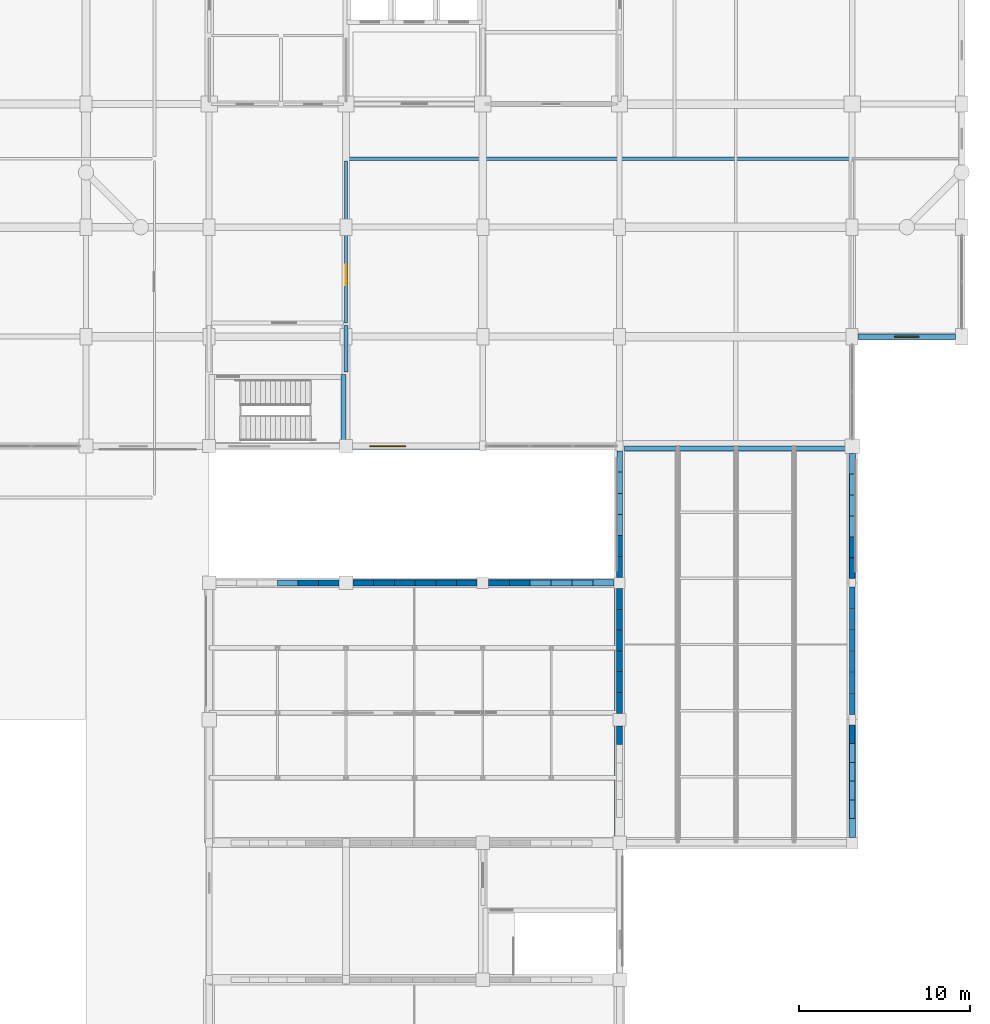
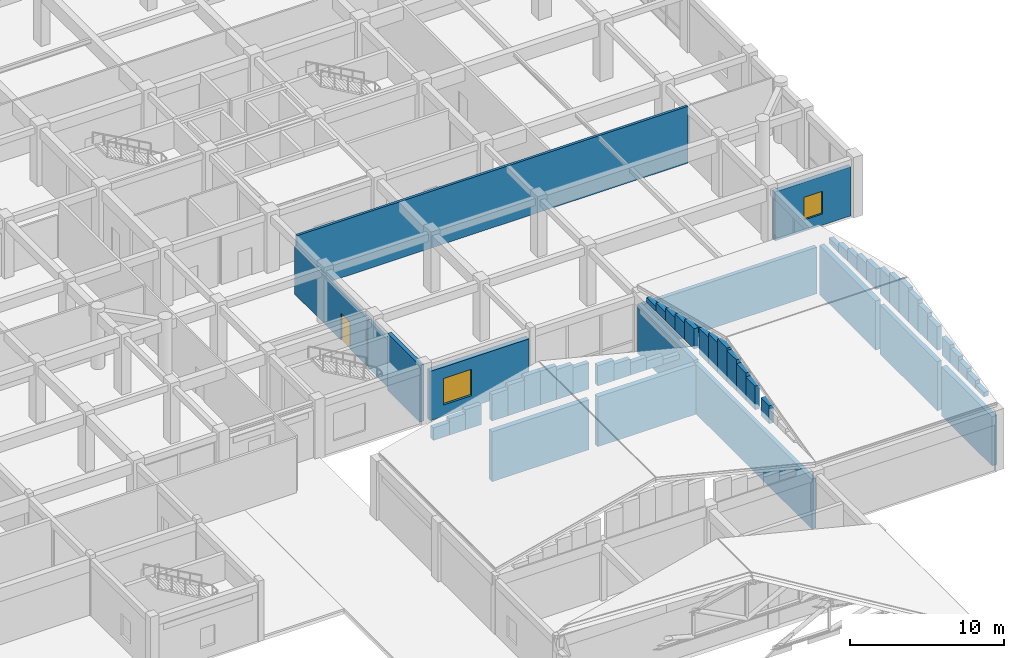
# One storey, part 53 of 61: 56 walls, 2 windows, 1 door, 3 openings.
"""IFC4 building model written with IfcOpenShell, lengths in metres."""

from ifc_helpers import new_model, si_unit, direction, frame, frame_2d, origin, place, context, subcontext, project, spatial, rectangle, extrude, material, layer, layer_set, type_object, element, fill, save


model = new_model("IFC4")

# Units and contexts
model_context = context("Model", 3, precision=1e-05, world=origin(), true_north=direction((0.0, 1.0)))
body_context = subcontext(model_context, "Body", "Model", "MODEL_VIEW")
ifc_project = project(units=[si_unit("LENGTHUNIT", "METRE"), si_unit("AREAUNIT", "SQUARE_METRE"), si_unit("VOLUMEUNIT", "CUBIC_METRE"), si_unit("PLANEANGLEUNIT", "RADIAN"), si_unit("MASSUNIT", "GRAM", prefix="KILO")], contexts=[model_context])

# Site, building, storey
site_placement = place(None, origin())
site = spatial("IfcSite", under=ifc_project, at=site_placement, CompositionType="ELEMENT")
building_placement = place(site_placement, origin())
building = spatial("IfcBuilding", under=site, at=building_placement, Name="Vellmiral Cinema and Media Centre", CompositionType="ELEMENT")
storey_placement = place(building_placement, frame((0.0, 0.0, 10.800048828125)))
storey = spatial("IfcBuildingStorey", under=building, at=storey_placement, Name="L02", CompositionType="ELEMENT", Elevation=10.800048828125)

# Walls
ifc_material_1 = material(Name="Concrete C40/50", Category="concrete")
ifc_layer_1 = layer(ifc_material_1, 0.300048828125, Name="Concrete C40/50")
ifc_layer_set_1 = layer_set([ifc_layer_1], Name="Concrete C40/50")
wall_type_1 = type_object("IfcWallType", Name="WL-CORE-300", PredefinedType="SHEAR", material=ifc_layer_set_1)
wall_1_placement = place(storey_placement, frame((147.85009765625, 36.0, 0.0), z_axis=(0.0, 0.0, 1.0), x_axis=(0.0, 1.0, 0.0)))
element("IfcWall", 1, at=wall_1_placement, inside=storey, type_object=wall_type_1, Name="Cinema Screen 6 Acoustic Enclosure Wall L02-E1", PredefinedType="SHEAR", context=body_context, shape_type="SweptSolid", body=[
    extrude(rectangle(XDim=15.199951171875, YDim=0.300048828125, at=frame_2d((7.60009765625, 0.0))), origin(), (0.0, 0.0, 1.0), 3.949951171875),
])
wall_2_placement = place(storey_placement, frame((148.300048828125, 59.050048828125, 0.0), z_axis=(0.0, 0.0, 1.0), x_axis=(1.0, 0.0, 0.0)))
element("IfcWall", 2, at=wall_2_placement, inside=storey, type_object=wall_type_1, Name="Cinema Screen 7 Acoustic Enclosure Wall L02-N1", PredefinedType="SHEAR", context=body_context, shape_type="SweptSolid", body=[
    extrude(rectangle(XDim=13.0, YDim=0.300048828125, at=frame_2d((6.5, 0.0))), origin(), (0.0, 0.0, 1.0), 3.699951171875),
])
wall_3_placement = place(storey_placement, frame((131.85009765625, 59.199951171875, 0.0), z_axis=(0.0, 0.0, 1.0), x_axis=(0.0, 1.0, 0.0)))
element("IfcWall", 3, at=wall_3_placement, inside=storey, type_object=wall_type_1, Name="Stair Core Wall ST-P6 L02-E", PredefinedType="SHEAR", context=body_context, shape_type="SweptSolid", body=[
    extrude(rectangle(XDim=4.199951171875, YDim=0.300048828125, at=frame_2d((2.10009765625, 0.0))), origin(), (0.0, 0.0, 1.0), 4.5),
])
ifc_material_2 = material(Name="Polychrome Glazed Ceramic Cladding", Category="masonry")
ifc_layer_2 = layer(ifc_material_2, 0.320068359375, Name="Polychrome Glazed Ceramic Cladding")
ifc_layer_set_2 = layer_set([ifc_layer_2], Name="Polychrome Glazed Ceramic Cladding")
wall_type_2 = type_object("IfcWallType", Name="WL-EXT-BRICK-320", PredefinedType="SOLIDWALL", material=ifc_layer_set_2)
wall_4_placement = place(storey_placement, frame((148.0, 58.89990234375, 0.0), z_axis=(0.0, 0.0, 1.0), x_axis=(0.0, -1.0, 0.0)))
element("IfcWall", 4, at=wall_4_placement, inside=storey, type_object=wall_type_2, Name="Exterior Facade Wall L02-024", PredefinedType="SOLIDWALL", context=body_context, shape_type="SweptSolid", body=[
    extrude(rectangle(XDim=7.375, YDim=0.320068359375, at=frame_2d((3.6875, 0.0))), origin(), (0.0, 0.0, 1.0), 3.89990234375),
])
wall_5_placement = place(storey_placement, frame((161.60009765625, 43.5, 0.0), z_axis=(0.0, 0.0, 1.0), x_axis=(0.0, 1.0, 0.0)))
element("IfcWall", 5, at=wall_5_placement, inside=storey, type_object=wall_type_2, Name="Exterior Facade Wall L02-039", PredefinedType="SOLIDWALL", context=body_context, shape_type="SweptSolid", body=[
    extrude(rectangle(XDim=7.449951171875, YDim=0.320068359375, at=frame_2d((3.72509765625, 0.0))), origin(), (0.0, 0.0, 1.0), 3.89990234375),
])

# Wall, opening, window
wall_6_placement = place(storey_placement, frame((161.949951171875, 65.60009765625, 0.0), z_axis=(0.0, 0.0, 1.0), x_axis=(1.0, 0.0, 0.0)))
wall_6 = element("IfcWall", 6, at=wall_6_placement, inside=storey, type_object=wall_type_2, Name="Exterior Facade Wall L02-042", PredefinedType="SOLIDWALL", context=body_context, shape_type="SweptSolid", body=[
    extrude(rectangle(XDim=5.699951171875, YDim=0.320068359375, at=frame_2d((2.85009765625, 0.0))), origin(), (0.0, 0.0, 1.0), 3.885009765625),
])
opening_1_placement = place(wall_6_placement, frame((2.14990234375, 0.0, 0.89990234375)))
opening_1 = element("IfcOpeningElement", 7, at=opening_1_placement, cuts=wall_6, Name="Opening WN-07", PredefinedType="OPENING", context=body_context, shape_type="SweptSolid", body=[
    extrude(rectangle(XDim=1.39990234375, YDim=1.800048828125, at=frame_2d((0.699951171875, 0.89990234375))), frame((0.0, 0.171875, 0.0), z_axis=(0.0, -1.0, 0.0), x_axis=(1.0, 0.0, 0.0)), (0.0, 0.0, 1.0), 0.343994140625),
])
ifc_material_3 = material(Name="Thermally Broken Aluminium Triple Glazing", Category="aluminium")
window_type_1 = type_object("IfcWindowType", Name="WN-1400x1800", PartitioningType="SINGLE_PANEL", PredefinedType="WINDOW", material=ifc_material_3)
window_1_placement = place(opening_1_placement, origin())
window_1 = element("IfcWindow", 8, at=window_1_placement, inside=storey, type_object=window_type_1, Name="Window L02-042", OverallHeight=1.800048828125, OverallWidth=1.39990234375, PartitioningType="SINGLE_PANEL", PredefinedType="WINDOW", context=body_context, shape_type="SweptSolid", body=[
    extrude(rectangle(XDim=1.39990234375, YDim=1.800048828125, at=frame_2d((0.699951171875, 0.89990234375))), frame((0.0, 0.030029296875, 0.0), z_axis=(0.0, -1.0, 0.0), x_axis=(1.0, 0.0, 0.0)), (0.0, 0.0, 1.0), 0.06005859375),
])
fill(opening_1, window_1)

# Walls
ifc_material_4 = material(Name="Vosges Red Sandstone Masonry", Category="masonry")
ifc_layer_3 = layer(ifc_material_4, 0.340087890625, Name="Vosges Red Sandstone Masonry")
ifc_layer_set_3 = layer_set([ifc_layer_3], Name="Vosges Red Sandstone Masonry")
wall_type_3 = type_object("IfcWallType", Name="WL-EXT-SAND-340", PredefinedType="SOLIDWALL", material=ifc_layer_set_3)
wall_7_placement = place(storey_placement, frame((128.0, 51.199951171875, 4.800048828125), z_axis=(0.0, 0.0, 1.0), x_axis=(1.0, 0.0, 0.0)))
element("IfcWall", 9, at=wall_7_placement, inside=storey, type_object=wall_type_3, Name="Cinema Screen 6 Gable End Wall N-3", PredefinedType="SOLIDWALL", context=body_context, shape_type="SweptSolid", body=[
    extrude(rectangle(XDim=1.199951171875, YDim=0.340087890625, at=frame_2d((0.60009765625, 0.0))), origin(), (0.0, 0.0, 1.0), 0.997314453125),
])
wall_8_placement = place(storey_placement, frame((129.199951171875, 51.199951171875, 4.800048828125), z_axis=(0.0, 0.0, 1.0), x_axis=(1.0, 0.0, 0.0)))
element("IfcWall", 10, at=wall_8_placement, inside=storey, type_object=wall_type_3, Name="Cinema Screen 6 Gable End Wall N-4", PredefinedType="SOLIDWALL", context=body_context, shape_type="SweptSolid", body=[
    extrude(rectangle(XDim=1.199951171875, YDim=0.340087890625, at=frame_2d((0.60009765625, 0.0))), origin(), (0.0, 0.0, 1.0), 1.29638671875),
])
wall_9_placement = place(storey_placement, frame((130.39990234375, 51.199951171875, 4.800048828125), z_axis=(0.0, 0.0, 1.0), x_axis=(1.0, 0.0, 0.0)))
element("IfcWall", 11, at=wall_9_placement, inside=storey, type_object=wall_type_3, Name="Cinema Screen 6 Gable End Wall N-5", PredefinedType="SOLIDWALL", context=body_context, shape_type="SweptSolid", body=[
    extrude(rectangle(XDim=1.2001953125, YDim=0.340087890625, at=frame_2d((0.60009765625, 0.0))), origin(), (0.0, 0.0, 1.0), 1.595703125),
])
wall_10_placement = place(storey_placement, frame((132.39990234375, 51.199951171875, 4.800048828125), z_axis=(0.0, 0.0, 1.0), x_axis=(1.0, 0.0, 0.0)))
element("IfcWall", 12, at=wall_10_placement, inside=storey, type_object=wall_type_3, Name="Cinema Screen 6 Gable End Wall N-6", PredefinedType="SOLIDWALL", context=body_context, shape_type="SweptSolid", body=[
    extrude(rectangle(XDim=1.212646484375, YDim=0.340087890625, at=frame_2d((0.6064453125, 0.0))), origin(), (0.0, 0.0, 1.0), 2.09423828125),
])
wall_11_placement = place(storey_placement, frame((133.612548828125, 51.199951171875, 4.800048828125), z_axis=(0.0, 0.0, 1.0), x_axis=(1.0, 0.0, 0.0)))
element("IfcWall", 13, at=wall_11_placement, inside=storey, type_object=wall_type_3, Name="Cinema Screen 6 Gable End Wall N-7", PredefinedType="SOLIDWALL", context=body_context, shape_type="SweptSolid", body=[
    extrude(rectangle(XDim=1.21240234375, YDim=0.340087890625, at=frame_2d((0.606201171875, 0.0))), origin(), (0.0, 0.0, 1.0), 2.396484375),
])
wall_12_placement = place(storey_placement, frame((134.824951171875, 51.199951171875, 4.800048828125), z_axis=(0.0, 0.0, 1.0), x_axis=(1.0, 0.0, 0.0)))
element("IfcWall", 14, at=wall_12_placement, inside=storey, type_object=wall_type_3, Name="Cinema Screen 6 Gable End Wall N-8", PredefinedType="SOLIDWALL", context=body_context, shape_type="SweptSolid", body=[
    extrude(rectangle(XDim=1.212646484375, YDim=0.340087890625, at=frame_2d((0.6064453125, 0.0))), origin(), (0.0, 0.0, 1.0), 2.698974609375),
])
wall_13_placement = place(storey_placement, frame((136.03759765625, 51.199951171875, 4.800048828125), z_axis=(0.0, 0.0, 1.0), x_axis=(1.0, 0.0, 0.0)))
element("IfcWall", 15, at=wall_13_placement, inside=storey, type_object=wall_type_3, Name="Cinema Screen 6 Gable End Wall N-9", PredefinedType="SOLIDWALL", context=body_context, shape_type="SweptSolid", body=[
    extrude(rectangle(XDim=1.21240234375, YDim=0.340087890625, at=frame_2d((0.606201171875, 0.0))), origin(), (0.0, 0.0, 1.0), 2.68017578125),
])
wall_14_placement = place(storey_placement, frame((137.25, 51.199951171875, 4.800048828125), z_axis=(0.0, 0.0, 1.0), x_axis=(1.0, 0.0, 0.0)))
element("IfcWall", 16, at=wall_14_placement, inside=storey, type_object=wall_type_3, Name="Cinema Screen 6 Gable End Wall N-10", PredefinedType="SOLIDWALL", context=body_context, shape_type="SweptSolid", body=[
    extrude(rectangle(XDim=1.21240234375, YDim=0.340087890625, at=frame_2d((0.606201171875, 0.0))), origin(), (0.0, 0.0, 1.0), 2.3779296875),
])
wall_15_placement = place(storey_placement, frame((138.46240234375, 51.199951171875, 4.800048828125), z_axis=(0.0, 0.0, 1.0), x_axis=(1.0, 0.0, 0.0)))
element("IfcWall", 17, at=wall_15_placement, inside=storey, type_object=wall_type_3, Name="Cinema Screen 6 Gable End Wall N-11", PredefinedType="SOLIDWALL", context=body_context, shape_type="SweptSolid", body=[
    extrude(rectangle(XDim=1.212646484375, YDim=0.340087890625, at=frame_2d((0.6064453125, 0.0))), origin(), (0.0, 0.0, 1.0), 2.07568359375),
])
wall_16_placement = place(storey_placement, frame((140.324951171875, 51.199951171875, 4.800048828125), z_axis=(0.0, 0.0, 1.0), x_axis=(1.0, 0.0, 0.0)))
element("IfcWall", 18, at=wall_16_placement, inside=storey, type_object=wall_type_3, Name="Cinema Screen 6 Gable End Wall N-12", PredefinedType="SOLIDWALL", context=body_context, shape_type="SweptSolid", body=[
    extrude(rectangle(XDim=1.22509765625, YDim=0.340087890625, at=frame_2d((0.612548828125, 0.0))), origin(), (0.0, 0.0, 1.0), 1.608154296875),
])
wall_17_placement = place(storey_placement, frame((141.550048828125, 51.199951171875, 4.800048828125), z_axis=(0.0, 0.0, 1.0), x_axis=(1.0, 0.0, 0.0)))
element("IfcWall", 19, at=wall_17_placement, inside=storey, type_object=wall_type_3, Name="Cinema Screen 6 Gable End Wall N-13", PredefinedType="SOLIDWALL", context=body_context, shape_type="SweptSolid", body=[
    extrude(rectangle(XDim=1.224853515625, YDim=0.340087890625, at=frame_2d((0.6123046875, 0.0))), origin(), (0.0, 0.0, 1.0), 1.302490234375),
])
wall_18_placement = place(storey_placement, frame((142.77490234375, 51.199951171875, 4.800048828125), z_axis=(0.0, 0.0, 1.0), x_axis=(1.0, 0.0, 0.0)))
element("IfcWall", 20, at=wall_18_placement, inside=storey, type_object=wall_type_3, Name="Cinema Screen 6 Gable End Wall N-14", PredefinedType="SOLIDWALL", context=body_context, shape_type="SweptSolid", body=[
    extrude(rectangle(XDim=1.22509765625, YDim=0.340087890625, at=frame_2d((0.612548828125, 0.0))), origin(), (0.0, 0.0, 1.0), 0.997314453125),
])
wall_19_placement = place(storey_placement, frame((144.0, 51.199951171875, 4.800048828125), z_axis=(0.0, 0.0, 1.0), x_axis=(1.0, 0.0, 0.0)))
element("IfcWall", 21, at=wall_19_placement, inside=storey, type_object=wall_type_3, Name="Cinema Screen 6 Gable End Wall N-15", PredefinedType="SOLIDWALL", context=body_context, shape_type="SweptSolid", body=[
    extrude(rectangle(XDim=1.22509765625, YDim=0.340087890625, at=frame_2d((0.612548828125, 0.0))), origin(), (0.0, 0.0, 1.0), 0.69189453125),
])
wall_20_placement = place(storey_placement, frame((145.22509765625, 51.199951171875, 4.800048828125), z_axis=(0.0, 0.0, 1.0), x_axis=(1.0, 0.0, 0.0)))
element("IfcWall", 22, at=wall_20_placement, inside=storey, type_object=wall_type_3, Name="Cinema Screen 6 Gable End Wall N-16", PredefinedType="SOLIDWALL", context=body_context, shape_type="SweptSolid", body=[
    extrude(rectangle(XDim=1.224853515625, YDim=0.340087890625, at=frame_2d((0.6123046875, 0.0))), origin(), (0.0, 0.0, 1.0), 0.386474609375),
])
wall_21_placement = place(storey_placement, frame((148.0, 41.754150390625, 4.800048828125), z_axis=(0.0, 0.0, 1.0), x_axis=(0.0, 1.0, 0.0)))
element("IfcWall", 23, at=wall_21_placement, inside=storey, type_object=wall_type_3, Name="Cinema Screen 7 Gable End Wall W-5", PredefinedType="SOLIDWALL", context=body_context, shape_type="SweptSolid", body=[
    extrude(rectangle(XDim=1.07080078125, YDim=0.340087890625, at=frame_2d((0.535400390625, 0.0))), origin(), (0.0, 0.0, 1.0), 1.4345703125),
])
wall_22_placement = place(storey_placement, frame((148.0, 43.574951171875, 4.800048828125), z_axis=(0.0, 0.0, 1.0), x_axis=(0.0, 1.0, 0.0)))
element("IfcWall", 24, at=wall_22_placement, inside=storey, type_object=wall_type_3, Name="Cinema Screen 7 Gable End Wall W-6", PredefinedType="SOLIDWALL", context=body_context, shape_type="SweptSolid", body=[
    extrude(rectangle(XDim=1.216796875, YDim=0.340087890625, at=frame_2d((0.6083984375, 0.0))), origin(), (0.0, 0.0, 1.0), 1.888671875),
])
wall_23_placement = place(storey_placement, frame((148.0, 44.791748046875, 4.800048828125), z_axis=(0.0, 0.0, 1.0), x_axis=(0.0, 1.0, 0.0)))
element("IfcWall", 25, at=wall_23_placement, inside=storey, type_object=wall_type_3, Name="Cinema Screen 7 Gable End Wall W-7", PredefinedType="SOLIDWALL", context=body_context, shape_type="SweptSolid", body=[
    extrude(rectangle(XDim=1.216552734375, YDim=0.340087890625, at=frame_2d((0.6083984375, 0.0))), origin(), (0.0, 0.0, 1.0), 2.19189453125),
])
wall_24_placement = place(storey_placement, frame((148.0, 46.00830078125, 4.800048828125), z_axis=(0.0, 0.0, 1.0), x_axis=(0.0, 1.0, 0.0)))
element("IfcWall", 26, at=wall_24_placement, inside=storey, type_object=wall_type_3, Name="Cinema Screen 7 Gable End Wall W-8", PredefinedType="SOLIDWALL", context=body_context, shape_type="SweptSolid", body=[
    extrude(rectangle(XDim=1.216796875, YDim=0.340087890625, at=frame_2d((0.6083984375, 0.0))), origin(), (0.0, 0.0, 1.0), 2.495361328125),
])
wall_25_placement = place(storey_placement, frame((148.0, 47.22509765625, 4.800048828125), z_axis=(0.0, 0.0, 1.0), x_axis=(0.0, 1.0, 0.0)))
element("IfcWall", 27, at=wall_25_placement, inside=storey, type_object=wall_type_3, Name="Cinema Screen 7 Gable End Wall W-9", PredefinedType="SOLIDWALL", context=body_context, shape_type="SweptSolid", body=[
    extrude(rectangle(XDim=1.216552734375, YDim=0.340087890625, at=frame_2d((0.6083984375, 0.0))), origin(), (0.0, 0.0, 1.0), 2.682373046875),
])
wall_26_placement = place(storey_placement, frame((148.0, 48.441650390625, 4.800048828125), z_axis=(0.0, 0.0, 1.0), x_axis=(0.0, 1.0, 0.0)))
element("IfcWall", 28, at=wall_26_placement, inside=storey, type_object=wall_type_3, Name="Cinema Screen 7 Gable End Wall W-10", PredefinedType="SOLIDWALL", context=body_context, shape_type="SweptSolid", body=[
    extrude(rectangle(XDim=1.216552734375, YDim=0.340087890625, at=frame_2d((0.6083984375, 0.0))), origin(), (0.0, 0.0, 1.0), 2.37890625),
])
wall_27_placement = place(storey_placement, frame((148.0, 49.658203125, 4.800048828125), z_axis=(0.0, 0.0, 1.0), x_axis=(0.0, 1.0, 0.0)))
element("IfcWall", 29, at=wall_27_placement, inside=storey, type_object=wall_type_3, Name="Cinema Screen 7 Gable End Wall W-11", PredefinedType="SOLIDWALL", context=body_context, shape_type="SweptSolid", body=[
    extrude(rectangle(XDim=1.216796875, YDim=0.340087890625, at=frame_2d((0.6083984375, 0.0))), origin(), (0.0, 0.0, 1.0), 2.07568359375),
])
wall_28_placement = place(storey_placement, frame((148.0, 51.52490234375, 4.800048828125), z_axis=(0.0, 0.0, 1.0), x_axis=(0.0, 1.0, 0.0)))
element("IfcWall", 30, at=wall_28_placement, inside=storey, type_object=wall_type_3, Name="Cinema Screen 7 Gable End Wall W-12", PredefinedType="SOLIDWALL", context=body_context, shape_type="SweptSolid", body=[
    extrude(rectangle(XDim=1.229248046875, YDim=0.340087890625, at=frame_2d((0.61474609375, 0.0))), origin(), (0.0, 0.0, 1.0), 1.60693359375),
])
wall_29_placement = place(storey_placement, frame((148.0, 52.754150390625, 4.800048828125), z_axis=(0.0, 0.0, 1.0), x_axis=(0.0, 1.0, 0.0)))
element("IfcWall", 31, at=wall_29_placement, inside=storey, type_object=wall_type_3, Name="Cinema Screen 7 Gable End Wall W-13", PredefinedType="SOLIDWALL", context=body_context, shape_type="SweptSolid", body=[
    extrude(rectangle(XDim=1.229248046875, YDim=0.340087890625, at=frame_2d((0.61474609375, 0.0))), origin(), (0.0, 0.0, 1.0), 1.300537109375),
])
wall_30_placement = place(storey_placement, frame((148.0, 53.9833984375, 4.800048828125), z_axis=(0.0, 0.0, 1.0), x_axis=(0.0, 1.0, 0.0)))
element("IfcWall", 32, at=wall_30_placement, inside=storey, type_object=wall_type_3, Name="Cinema Screen 7 Gable End Wall W-14", PredefinedType="SOLIDWALL", context=body_context, shape_type="SweptSolid", body=[
    extrude(rectangle(XDim=1.22900390625, YDim=0.340087890625, at=frame_2d((0.614501953125, 0.0))), origin(), (0.0, 0.0, 1.0), 0.994140625),
])
wall_31_placement = place(storey_placement, frame((148.0, 55.21240234375, 4.800048828125), z_axis=(0.0, 0.0, 1.0), x_axis=(0.0, 1.0, 0.0)))
element("IfcWall", 33, at=wall_31_placement, inside=storey, type_object=wall_type_3, Name="Cinema Screen 7 Gable End Wall W-15", PredefinedType="SOLIDWALL", context=body_context, shape_type="SweptSolid", body=[
    extrude(rectangle(XDim=1.229248046875, YDim=0.340087890625, at=frame_2d((0.61474609375, 0.0))), origin(), (0.0, 0.0, 1.0), 0.6875),
])
wall_32_placement = place(storey_placement, frame((148.0, 56.441650390625, 4.800048828125), z_axis=(0.0, 0.0, 1.0), x_axis=(0.0, 1.0, 0.0)))
element("IfcWall", 34, at=wall_32_placement, inside=storey, type_object=wall_type_3, Name="Cinema Screen 7 Gable End Wall W-16", PredefinedType="SOLIDWALL", context=body_context, shape_type="SweptSolid", body=[
    extrude(rectangle(XDim=1.229248046875, YDim=0.340087890625, at=frame_2d((0.61474609375, 0.0))), origin(), (0.0, 0.0, 1.0), 0.381103515625),
])
wall_33_placement = place(storey_placement, frame((161.60009765625, 37.4208984375, 4.800048828125), z_axis=(0.0, 0.0, 1.0), x_axis=(0.0, 1.0, 0.0)))
element("IfcWall", 35, at=wall_33_placement, inside=storey, type_object=wall_type_3, Name="Cinema Screen 7 Gable End Wall E-1", PredefinedType="SOLIDWALL", context=body_context, shape_type="SweptSolid", body=[
    extrude(rectangle(XDim=1.095703125, YDim=0.340087890625, at=frame_2d((0.5478515625, 0.0))), origin(), (0.0, 0.0, 1.0), 0.354248046875),
])
wall_34_placement = place(storey_placement, frame((161.60009765625, 38.5166015625, 4.800048828125), z_axis=(0.0, 0.0, 1.0), x_axis=(0.0, 1.0, 0.0)))
element("IfcWall", 36, at=wall_34_placement, inside=storey, type_object=wall_type_3, Name="Cinema Screen 7 Gable End Wall E-2", PredefinedType="SOLIDWALL", context=body_context, shape_type="SweptSolid", body=[
    extrude(rectangle(XDim=1.095947265625, YDim=0.340087890625, at=frame_2d((0.5478515625, 0.0))), origin(), (0.0, 0.0, 1.0), 0.62744140625),
])
wall_35_placement = place(storey_placement, frame((161.60009765625, 39.612548828125, 4.800048828125), z_axis=(0.0, 0.0, 1.0), x_axis=(0.0, 1.0, 0.0)))
element("IfcWall", 37, at=wall_35_placement, inside=storey, type_object=wall_type_3, Name="Cinema Screen 7 Gable End Wall E-3", PredefinedType="SOLIDWALL", context=body_context, shape_type="SweptSolid", body=[
    extrude(rectangle(XDim=1.095703125, YDim=0.340087890625, at=frame_2d((0.5478515625, 0.0))), origin(), (0.0, 0.0, 1.0), 0.900634765625),
])
wall_36_placement = place(storey_placement, frame((161.60009765625, 40.708251953125, 4.800048828125), z_axis=(0.0, 0.0, 1.0), x_axis=(0.0, 1.0, 0.0)))
element("IfcWall", 38, at=wall_36_placement, inside=storey, type_object=wall_type_3, Name="Cinema Screen 7 Gable End Wall E-4", PredefinedType="SOLIDWALL", context=body_context, shape_type="SweptSolid", body=[
    extrude(rectangle(XDim=1.095947265625, YDim=0.340087890625, at=frame_2d((0.5478515625, 0.0))), origin(), (0.0, 0.0, 1.0), 1.173828125),
])
wall_37_placement = place(storey_placement, frame((161.60009765625, 41.80419921875, 4.800048828125), z_axis=(0.0, 0.0, 1.0), x_axis=(0.0, 1.0, 0.0)))
element("IfcWall", 39, at=wall_37_placement, inside=storey, type_object=wall_type_3, Name="Cinema Screen 7 Gable End Wall E-5", PredefinedType="SOLIDWALL", context=body_context, shape_type="SweptSolid", body=[
    extrude(rectangle(XDim=1.095703125, YDim=0.340087890625, at=frame_2d((0.5478515625, 0.0))), origin(), (0.0, 0.0, 1.0), 1.447021484375),
])
wall_38_placement = place(storey_placement, frame((161.60009765625, 43.5, 4.800048828125), z_axis=(0.0, 0.0, 1.0), x_axis=(0.0, 1.0, 0.0)))
element("IfcWall", 40, at=wall_38_placement, inside=storey, type_object=wall_type_3, Name="Cinema Screen 7 Gable End Wall E-6", PredefinedType="SOLIDWALL", context=body_context, shape_type="SweptSolid", body=[
    extrude(rectangle(XDim=1.24169921875, YDim=0.340087890625, at=frame_2d((0.620849609375, 0.0))), origin(), (0.0, 0.0, 1.0), 1.869873046875),
])
wall_39_placement = place(storey_placement, frame((161.60009765625, 44.74169921875, 4.800048828125), z_axis=(0.0, 0.0, 1.0), x_axis=(0.0, 1.0, 0.0)))
element("IfcWall", 41, at=wall_39_placement, inside=storey, type_object=wall_type_3, Name="Cinema Screen 7 Gable End Wall E-7", PredefinedType="SOLIDWALL", context=body_context, shape_type="SweptSolid", body=[
    extrude(rectangle(XDim=1.24169921875, YDim=0.340087890625, at=frame_2d((0.620849609375, 0.0))), origin(), (0.0, 0.0, 1.0), 2.179443359375),
])
wall_40_placement = place(storey_placement, frame((161.60009765625, 45.9833984375, 4.800048828125), z_axis=(0.0, 0.0, 1.0), x_axis=(0.0, 1.0, 0.0)))
element("IfcWall", 42, at=wall_40_placement, inside=storey, type_object=wall_type_3, Name="Cinema Screen 7 Gable End Wall E-8", PredefinedType="SOLIDWALL", context=body_context, shape_type="SweptSolid", body=[
    extrude(rectangle(XDim=1.24169921875, YDim=0.340087890625, at=frame_2d((0.620849609375, 0.0))), origin(), (0.0, 0.0, 1.0), 2.489013671875),
])
wall_41_placement = place(storey_placement, frame((161.60009765625, 47.22509765625, 4.800048828125), z_axis=(0.0, 0.0, 1.0), x_axis=(0.0, 1.0, 0.0)))
element("IfcWall", 43, at=wall_41_placement, inside=storey, type_object=wall_type_3, Name="Cinema Screen 7 Gable End Wall E-9", PredefinedType="SOLIDWALL", context=body_context, shape_type="SweptSolid", body=[
    extrude(rectangle(XDim=1.24169921875, YDim=0.340087890625, at=frame_2d((0.620849609375, 0.0))), origin(), (0.0, 0.0, 1.0), 2.676025390625),
])
wall_42_placement = place(storey_placement, frame((161.60009765625, 48.466796875, 4.800048828125), z_axis=(0.0, 0.0, 1.0), x_axis=(0.0, 1.0, 0.0)))
element("IfcWall", 44, at=wall_42_placement, inside=storey, type_object=wall_type_3, Name="Cinema Screen 7 Gable End Wall E-10", PredefinedType="SOLIDWALL", context=body_context, shape_type="SweptSolid", body=[
    extrude(rectangle(XDim=1.241455078125, YDim=0.340087890625, at=frame_2d((0.62060546875, 0.0))), origin(), (0.0, 0.0, 1.0), 2.366455078125),
])
wall_43_placement = place(storey_placement, frame((161.60009765625, 49.708251953125, 4.800048828125), z_axis=(0.0, 0.0, 1.0), x_axis=(0.0, 1.0, 0.0)))
element("IfcWall", 45, at=wall_43_placement, inside=storey, type_object=wall_type_3, Name="Cinema Screen 7 Gable End Wall E-11", PredefinedType="SOLIDWALL", context=body_context, shape_type="SweptSolid", body=[
    extrude(rectangle(XDim=1.24169921875, YDim=0.340087890625, at=frame_2d((0.620849609375, 0.0))), origin(), (0.0, 0.0, 1.0), 2.056884765625),
])
wall_44_placement = place(storey_placement, frame((161.60009765625, 51.449951171875, 4.800048828125), z_axis=(0.0, 0.0, 1.0), x_axis=(0.0, 1.0, 0.0)))
element("IfcWall", 46, at=wall_44_placement, inside=storey, type_object=wall_type_3, Name="Cinema Screen 7 Gable End Wall E-12", PredefinedType="SOLIDWALL", context=body_context, shape_type="SweptSolid", body=[
    extrude(rectangle(XDim=1.220947265625, YDim=0.340087890625, at=frame_2d((0.6103515625, 0.0))), origin(), (0.0, 0.0, 1.0), 1.627685546875),
])
wall_45_placement = place(storey_placement, frame((161.60009765625, 52.6708984375, 4.800048828125), z_axis=(0.0, 0.0, 1.0), x_axis=(0.0, 1.0, 0.0)))
element("IfcWall", 47, at=wall_45_placement, inside=storey, type_object=wall_type_3, Name="Cinema Screen 7 Gable End Wall E-13", PredefinedType="SOLIDWALL", context=body_context, shape_type="SweptSolid", body=[
    extrude(rectangle(XDim=1.220703125, YDim=0.340087890625, at=frame_2d((0.6103515625, 0.0))), origin(), (0.0, 0.0, 1.0), 1.323486328125),
])
wall_46_placement = place(storey_placement, frame((161.60009765625, 53.8916015625, 4.800048828125), z_axis=(0.0, 0.0, 1.0), x_axis=(0.0, 1.0, 0.0)))
element("IfcWall", 48, at=wall_46_placement, inside=storey, type_object=wall_type_3, Name="Cinema Screen 7 Gable End Wall E-14", PredefinedType="SOLIDWALL", context=body_context, shape_type="SweptSolid", body=[
    extrude(rectangle(XDim=1.220947265625, YDim=0.340087890625, at=frame_2d((0.6103515625, 0.0))), origin(), (0.0, 0.0, 1.0), 1.01904296875),
])
wall_47_placement = place(storey_placement, frame((161.60009765625, 55.112548828125, 4.800048828125), z_axis=(0.0, 0.0, 1.0), x_axis=(0.0, 1.0, 0.0)))
element("IfcWall", 49, at=wall_47_placement, inside=storey, type_object=wall_type_3, Name="Cinema Screen 7 Gable End Wall E-15", PredefinedType="SOLIDWALL", context=body_context, shape_type="SweptSolid", body=[
    extrude(rectangle(XDim=1.220703125, YDim=0.340087890625, at=frame_2d((0.6103515625, 0.0))), origin(), (0.0, 0.0, 1.0), 0.714599609375),
])
wall_48_placement = place(storey_placement, frame((161.60009765625, 56.333251953125, 4.800048828125), z_axis=(0.0, 0.0, 1.0), x_axis=(0.0, 1.0, 0.0)))
element("IfcWall", 50, at=wall_48_placement, inside=storey, type_object=wall_type_3, Name="Cinema Screen 7 Gable End Wall E-16", PredefinedType="SOLIDWALL", context=body_context, shape_type="SweptSolid", body=[
    extrude(rectangle(XDim=1.220947265625, YDim=0.340087890625, at=frame_2d((0.6103515625, 0.0))), origin(), (0.0, 0.0, 1.0), 0.410400390625),
])

# Wall, opening, window
ifc_material_5 = material(Name="Vosges Red Sandstone Masonry", Category="masonry")
ifc_layer_4 = layer(ifc_material_5, 0.3798828125, Name="Vosges Red Sandstone Masonry")
ifc_layer_set_4 = layer_set([ifc_layer_4], Name="Vosges Red Sandstone Masonry")
wall_type_4 = type_object("IfcWallType", Name="WL-EXT-SAND-380", PredefinedType="SOLIDWALL", material=ifc_layer_set_4)
wall_49_placement = place(storey_placement, frame((132.375, 59.199951171875, 0.0), z_axis=(0.0, 0.0, 1.0), x_axis=(1.0, 0.0, 0.0)))
wall_49 = element("IfcWall", 51, at=wall_49_placement, inside=storey, type_object=wall_type_4, Name="Exterior Facade Wall L02-022", PredefinedType="SOLIDWALL", context=body_context, shape_type="SweptSolid", body=[
    extrude(rectangle(XDim=7.425048828125, YDim=0.3798828125, at=frame_2d((3.71240234375, 0.0))), origin(), (0.0, 0.0, 1.0), 3.89990234375),
])
opening_2_placement = place(wall_49_placement, frame((1.012451171875, 0.0, 0.89990234375)))
opening_2 = element("IfcOpeningElement", 52, at=opening_2_placement, cuts=wall_49, Name="Opening WN-02", PredefinedType="OPENING", context=body_context, shape_type="SweptSolid", body=[
    extrude(rectangle(XDim=2.10009765625, YDim=2.10009765625, at=frame_2d((1.050048828125, 1.050048828125))), frame((0.0, 0.201904296875, 0.0), z_axis=(0.0, -1.0, 0.0), x_axis=(1.0, 0.0, 0.0)), (0.0, 0.0, 1.0), 0.40380859375),
])
ifc_material_6 = material(Name="Thermally Broken Aluminium Triple Glazing", Category="aluminium")
window_type_2 = type_object("IfcWindowType", Name="WN-2100x2100", PartitioningType="DOUBLE_PANEL_VERTICAL", PredefinedType="WINDOW", material=ifc_material_6)
window_2_placement = place(opening_2_placement, origin())
window_2 = element("IfcWindow", 53, at=window_2_placement, inside=storey, type_object=window_type_2, Name="Window L02-022", OverallHeight=2.10009765625, OverallWidth=2.10009765625, PartitioningType="DOUBLE_PANEL_VERTICAL", PredefinedType="WINDOW", context=body_context, shape_type="SweptSolid", body=[
    extrude(rectangle(XDim=2.10009765625, YDim=2.10009765625, at=frame_2d((1.050048828125, 1.050048828125))), frame((0.0, 0.030029296875, 0.0), z_axis=(0.0, -1.0, 0.0), x_axis=(1.0, 0.0, 0.0)), (0.0, 0.0, 1.0), 0.06005859375),
])
fill(opening_2, window_2)

# Walls
wall_50_placement = place(storey_placement, frame((147.675048828125, 51.199951171875, 0.0), z_axis=(0.0, 0.0, 1.0), x_axis=(-1.0, 0.0, 0.0)))
element("IfcWall", 54, at=wall_50_placement, inside=storey, type_object=wall_type_4, Name="Exterior Facade Wall L02-025", PredefinedType="SOLIDWALL", context=body_context, shape_type="SweptSolid", body=[
    extrude(rectangle(XDim=7.35009765625, YDim=0.3798828125, at=frame_2d((3.675048828125, 0.0))), origin(), (0.0, 0.0, 1.0), 3.949951171875),
])
wall_51_placement = place(storey_placement, frame((139.675048828125, 51.199951171875, 0.0), z_axis=(0.0, 0.0, 1.0), x_axis=(-1.0, 0.0, 0.0)))
element("IfcWall", 55, at=wall_51_placement, inside=storey, type_object=wall_type_4, Name="Exterior Facade Wall L02-026", PredefinedType="SOLIDWALL", context=body_context, shape_type="SweptSolid", body=[
    extrude(rectangle(XDim=7.275146484375, YDim=0.3798828125, at=frame_2d((3.6376953125, 0.0))), origin(), (0.0, 0.0, 1.0), 3.949951171875),
])
wall_52_placement = place(storey_placement, frame((161.60009765625, 36.324951171875, 0.0), z_axis=(0.0, 0.0, 1.0), x_axis=(0.0, 1.0, 0.0)))
element("IfcWall", 56, at=wall_52_placement, inside=storey, type_object=wall_type_4, Name="Exterior Facade Wall L02-038", PredefinedType="SOLIDWALL", context=body_context, shape_type="SweptSolid", body=[
    extrude(rectangle(XDim=6.574951171875, YDim=0.3798828125, at=frame_2d((3.28759765625, 0.0))), origin(), (0.0, 0.0, 1.0), 3.89990234375),
])
wall_53_placement = place(storey_placement, frame((161.60009765625, 51.449951171875, 0.0), z_axis=(0.0, 0.0, 1.0), x_axis=(0.0, 1.0, 0.0)))
element("IfcWall", 57, at=wall_53_placement, inside=storey, type_object=wall_type_4, Name="Exterior Facade Wall L02-040", PredefinedType="SOLIDWALL", context=body_context, shape_type="SweptSolid", body=[
    extrude(rectangle(XDim=7.324951171875, YDim=0.3798828125, at=frame_2d((3.66259765625, 0.0))), origin(), (0.0, 0.0, 1.0), 3.89990234375),
])
ifc_material_7 = material(Name="Concrete C40/50", Category="concrete")
ifc_layer_5 = layer(ifc_material_7, 0.22998046875, Name="Concrete C40/50")
ifc_layer_set_5 = layer_set([ifc_layer_5], Name="Concrete C40/50")
wall_type_5 = type_object("IfcWallType", Name="WL-FFL-230", PredefinedType="SOLIDWALL", material=ifc_layer_set_5)
wall_54_placement = place(storey_placement, frame((132.0, 63.5400390625, 0.0), z_axis=(0.0, 0.0, 1.0), x_axis=(0.0, 1.0, 0.0)))
element("IfcWall", 58, at=wall_54_placement, inside=storey, type_object=wall_type_5, Name="Firefighting Stair Lobby ST-P6 Wall E", PredefinedType="SOLIDWALL", context=body_context, shape_type="SweptSolid", body=[
    extrude(rectangle(XDim=2.719970703125, YDim=0.22998046875, at=frame_2d((1.35986328125, 0.0))), origin(), (0.0, 0.0, 1.0), 3.744873046875),
])

# Wall, opening, door
ifc_material_8 = material(Name="Gypsum Plasterboard")
ifc_layer_6 = layer(ifc_material_8, 0.02490234375, Name="Gypsum Plasterboard", Category="gypsum")
ifc_material_9 = material(Name="Mineral Wool Acoustic Insulation", Category="insulation")
ifc_layer_7 = layer(ifc_material_9, 0.1201171875, Name="Mineral Wool Acoustic Insulation", Category="insulation")
ifc_layer_8 = layer(ifc_material_8, 0.02490234375, Name="Gypsum Plasterboard", Category="gypsum")
ifc_layer_set_6 = layer_set([ifc_layer_6, ifc_layer_7, ifc_layer_8], Name="Gypsum Plasterboard")
wall_type_6 = type_object("IfcWallType", Name="WL-PART-170", PredefinedType="PARTITIONING", material=ifc_layer_set_6)
wall_55_placement = place(storey_placement, frame((132.0, 66.39990234375, 0.0), z_axis=(0.0, 0.0, 1.0), x_axis=(0.0, 1.0, 0.0)))
wall_55 = element("IfcWall", 59, at=wall_55_placement, inside=storey, type_object=wall_type_6, Name="Tower L02 Broadcast Editorial Suite South Wall W", PredefinedType="PARTITIONING", context=body_context, shape_type="SweptSolid", body=[
    extrude(rectangle(XDim=9.460205078125, YDim=0.169921875, at=frame_2d((4.72998046875, 0.0))), origin(), (0.0, 0.0, 1.0), 3.794921875),
])
opening_3_placement = place(wall_55_placement, frame((2.199951171875, 0.0, 0.0)))
opening_3 = element("IfcOpeningElement", 60, at=opening_3_placement, cuts=wall_55, Name="Opening D-I05", PredefinedType="OPENING", context=body_context, shape_type="SweptSolid", body=[
    extrude(rectangle(XDim=1.199951171875, YDim=2.14990234375, at=frame_2d((0.60009765625, 1.074951171875))), frame((0.0, 0.096923828125, 0.0), z_axis=(0.0, -1.0, 0.0), x_axis=(1.0, 0.0, 0.0)), (0.0, 0.0, 1.0), 0.19384765625),
])
ifc_material_10 = material(Name="Laminated Timber Door", Category="wood")
door_type = type_object("IfcDoorType", Name="DR-INT-1200x2150", OperationType="NOTDEFINED", PredefinedType="DOOR", material=ifc_material_10)
door_placement = place(opening_3_placement, frame((1.199951171875, 0.0, 0.0), z_axis=(0.0, 0.0, 1.0), x_axis=(-1.0, 0.0, 0.0)))
door = element("IfcDoor", 61, at=door_placement, inside=storey, type_object=door_type, Name="Tower L02 Broadcast Editorial Suite South Door", OperationType="SINGLE_SWING_RIGHT", OverallHeight=2.14990234375, OverallWidth=1.199951171875, PredefinedType="DOOR", context=body_context, shape_type="SweptSolid", body=[
    extrude(rectangle(XDim=1.199951171875, YDim=2.14990234375, at=frame_2d((0.60009765625, 1.074951171875))), frame((0.0, 0.02490234375, 0.0), z_axis=(0.0, -1.0, 0.0), x_axis=(1.0, 0.0, 0.0)), (0.0, 0.0, 1.0), 0.050048828125),
])
fill(opening_3, door)

# Wall
ifc_material_11 = material(Name="Gypsum Plasterboard")
ifc_layer_9 = layer(ifc_material_11, 0.02490234375, Name="Gypsum Plasterboard", Category="gypsum")
ifc_material_12 = material(Name="Mineral Wool Acoustic Insulation", Category="insulation")
ifc_layer_10 = layer(ifc_material_12, 0.139892578125, Name="Mineral Wool Acoustic Insulation", Category="insulation")
ifc_layer_11 = layer(ifc_material_11, 0.02490234375, Name="Gypsum Plasterboard", Category="gypsum")
ifc_layer_set_7 = layer_set([ifc_layer_9, ifc_layer_10, ifc_layer_11], Name="Gypsum Plasterboard")
wall_type_7 = type_object("IfcWallType", Name="WL-PART-190", PredefinedType="PARTITIONING", material=ifc_layer_set_7)
wall_56_placement = place(storey_placement, frame((132.139892578125, 76.0, 0.0), z_axis=(0.0, 0.0, 1.0), x_axis=(1.0, 0.0, 0.0)))
element("IfcWall", 62, at=wall_56_placement, inside=storey, type_object=wall_type_7, Name="Tower L02 Broadcast Editorial Suite South Wall N", PredefinedType="PARTITIONING", context=body_context, shape_type="SweptSolid", body=[
    extrude(rectangle(XDim=29.320068359375, YDim=0.18994140625, at=frame_2d((14.66015625, 0.0))), origin(), (0.0, 0.0, 1.0), 4.5),
])

save(model, "model.ifc")
